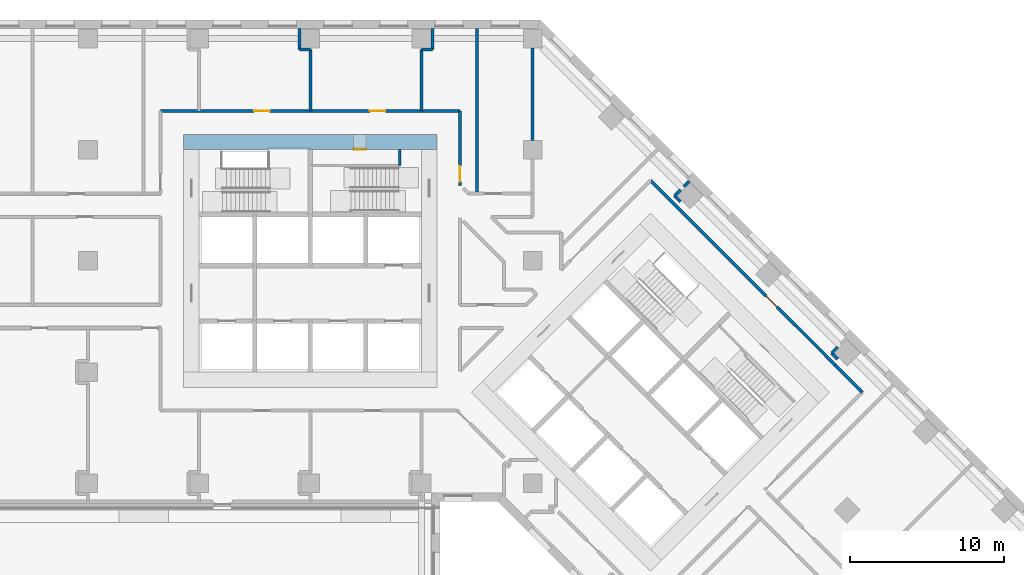
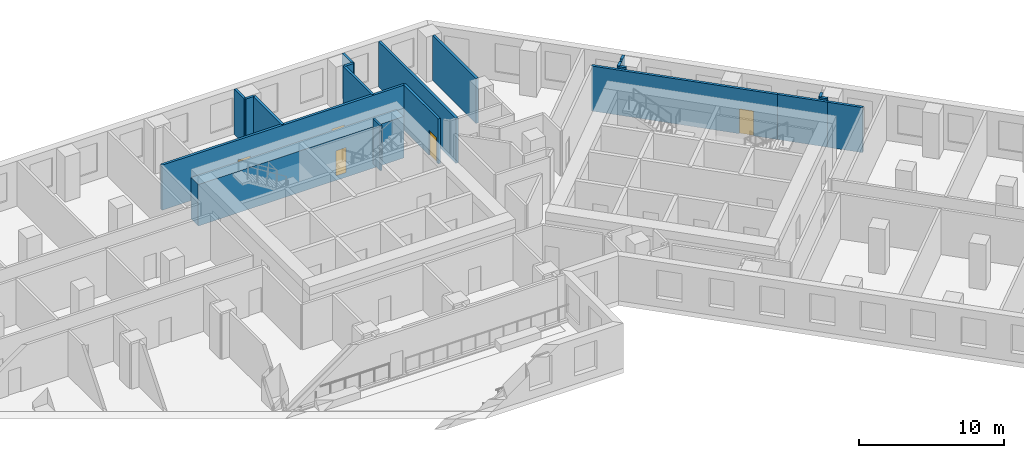
# One storey, part 10 of 14: 20 walls, 5 doors, 5 openings.
"""IFC4 building model written with IfcOpenShell, lengths in metres."""

from ifc_helpers import new_model, si_unit, direction, frame, frame_2d, origin, place, context, subcontext, project, spatial, rectangle, extrude, material, layer, layer_set, type_object, element, fill, save


model = new_model("IFC4")

# Units and contexts
model_context = context("Model", 3, precision=1e-05, world=origin(), true_north=direction((0.0, 1.0)))
body_context = subcontext(model_context, "Body", "Model", "MODEL_VIEW")
ifc_project = project(units=[si_unit("LENGTHUNIT", "METRE"), si_unit("AREAUNIT", "SQUARE_METRE"), si_unit("VOLUMEUNIT", "CUBIC_METRE"), si_unit("PLANEANGLEUNIT", "RADIAN"), si_unit("MASSUNIT", "GRAM", prefix="KILO")], contexts=[model_context])

# Site, building, storey
site_placement = place(None, origin())
site = spatial("IfcSite", under=ifc_project, at=site_placement, CompositionType="ELEMENT")
building_placement = place(site_placement, origin())
building = spatial("IfcBuilding", under=site, at=building_placement, Name="Windrow Commons", CompositionType="ELEMENT")
storey_placement = place(building_placement, frame((0.0, 0.0, 18.6)))
storey = spatial("IfcBuildingStorey", under=building, at=storey_placement, Name="L04", CompositionType="ELEMENT", Elevation=18.6)

# Wall, openings, doors
ifc_material_1 = material(Name="Blockwork partition", Category="masonry")
ifc_layer_1 = layer(ifc_material_1, 0.2)
ifc_layer_set_1 = layer_set([ifc_layer_1], Name="IW-CORRIDOR-200")
wall_type_1 = type_object("IfcWallType", Name="IW-CORRIDOR-200", PredefinedType="PARTITIONING", material=ifc_layer_set_1)
wall_1_placement = place(storey_placement, frame((55.1, 67.3, 0.0), z_axis=(0.0, 0.0, 1.0), x_axis=(1.0, 0.0, 0.0)))
wall_1 = element("IfcWall", 1, at=wall_1_placement, inside=storey, type_object=wall_type_1, Name="W-L04-W006", PredefinedType="PARTITIONING", context=body_context, shape_type="SweptSolid", body=[
    extrude(rectangle(XDim=19.4, YDim=0.2, at=frame_2d((9.7, 0.0))), origin(), (0.0, 0.0, 1.0), 3.8),
])
opening_1_placement = place(wall_1_placement, frame((6.0575, 0.0, 0.0)))
opening_1 = element("IfcOpeningElement", 2, at=opening_1_placement, cuts=wall_1, Name="Opening D310F", PredefinedType="OPENING", context=body_context, shape_type="SweptSolid", body=[
    extrude(rectangle(XDim=1.0, YDim=2.1, at=frame_2d((0.5, 1.05))), frame((0.0, 0.11, 0.0), z_axis=(0.0, -1.0, 0.0), x_axis=(1.0, 0.0, 0.0)), (0.0, 0.0, 1.0), 0.22),
])
opening_2_placement = place(wall_1_placement, frame((13.5625, 0.0, 0.0)))
opening_2 = element("IfcOpeningElement", 3, at=opening_2_placement, cuts=wall_1, Name="Opening D310F", PredefinedType="OPENING", context=body_context, shape_type="SweptSolid", body=[
    extrude(rectangle(XDim=1.0, YDim=2.1, at=frame_2d((0.5, 1.05))), frame((0.0, 0.11, 0.0), z_axis=(0.0, -1.0, 0.0), x_axis=(1.0, 0.0, 0.0)), (0.0, 0.0, 1.0), 0.22),
])
ifc_material_2 = material(Name="Timber door leaf", Category="wood")
door_type_1 = type_object("IfcDoorType", Name="DT-AMENITY-1000", OperationType="SINGLE_SWING_LEFT", PredefinedType="DOOR", material=ifc_material_2)
door_1_placement = place(opening_1_placement, origin())
door_1 = element("IfcDoor", 4, at=door_1_placement, inside=storey, type_object=door_type_1, Name="D-L04-D029", OperationType="SINGLE_SWING_RIGHT", OverallHeight=2.1, OverallWidth=1.0, PredefinedType="DOOR", context=body_context, shape_type="SweptSolid", body=[
    extrude(rectangle(XDim=1.0, YDim=2.1, at=frame_2d((0.5, 1.05))), frame((0.0, 0.025, 0.0), z_axis=(0.0, -1.0, 0.0), x_axis=(1.0, 0.0, 0.0)), (0.0, 0.0, 1.0), 0.05),
])
fill(opening_1, door_1)
door_2_placement = place(opening_2_placement, origin())
door_2 = element("IfcDoor", 5, at=door_2_placement, inside=storey, type_object=door_type_1, Name="D-L04-D030", OperationType="SINGLE_SWING_RIGHT", OverallHeight=2.1, OverallWidth=1.0, PredefinedType="DOOR", context=body_context, shape_type="SweptSolid", body=[
    extrude(rectangle(XDim=1.0, YDim=2.1, at=frame_2d((0.5, 1.05))), frame((0.0, 0.025, 0.0), z_axis=(0.0, -1.0, 0.0), x_axis=(1.0, 0.0, 0.0)), (0.0, 0.0, 1.0), 0.05),
])
fill(opening_2, door_2)

# Wall, opening, door
wall_2_placement = place(storey_placement, frame((86.833, 62.805, 0.0), z_axis=(0.0, 0.0, 1.0), x_axis=(0.7072045138, -0.7070090351, 0.0)))
wall_2 = element("IfcWall", 6, at=wall_2_placement, inside=storey, type_object=wall_type_1, Name="W-L04-W008", PredefinedType="PARTITIONING", context=body_context, shape_type="SweptSolid", body=[
    extrude(rectangle(XDim=13.3007, YDim=0.2, at=frame_2d((6.6504, 0.0))), origin(), (0.0, 0.0, 1.0), 3.8),
])
opening_3_placement = place(wall_2_placement, frame((10.5864, 0.0, 0.0)))
opening_3 = element("IfcOpeningElement", 7, at=opening_3_placement, cuts=wall_2, Name="Opening D310F", PredefinedType="OPENING", context=body_context, shape_type="SweptSolid", body=[
    extrude(rectangle(XDim=1.0, YDim=2.1, at=frame_2d((0.5, 1.05))), frame((0.0, 0.11, 0.0), z_axis=(0.0, -1.0, 0.0), x_axis=(1.0, 0.0, 0.0)), (0.0, 0.0, 1.0), 0.22),
])
door_3_placement = place(opening_3_placement, origin())
door_3 = element("IfcDoor", 8, at=door_3_placement, inside=storey, type_object=door_type_1, Name="D-L04-D032", OperationType="SINGLE_SWING_LEFT", OverallHeight=2.1, OverallWidth=1.0, PredefinedType="DOOR", context=body_context, shape_type="SweptSolid", body=[
    extrude(rectangle(XDim=1.0, YDim=2.1, at=frame_2d((0.5, 1.05))), frame((0.0, 0.025, 0.0), z_axis=(0.0, -1.0, 0.0), x_axis=(1.0, 0.0, 0.0)), (0.0, 0.0, 1.0), 0.05),
])
fill(opening_3, door_3)

wall_3_placement = place(storey_placement, frame((74.5, 62.488, 0.0), z_axis=(0.0, 0.0, 1.0), x_axis=(0.0, 1.0, 0.0)))
wall_3 = element("IfcWall", 9, at=wall_3_placement, inside=storey, type_object=wall_type_1, Name="W-L04-W058", PredefinedType="PARTITIONING", context=body_context, shape_type="SweptSolid", body=[
    extrude(rectangle(XDim=4.812, YDim=0.2, at=frame_2d((2.406, 0.0))), origin(), (0.0, 0.0, 1.0), 3.8),
])
opening_4_placement = place(wall_3_placement, frame((0.2515, 0.0, 0.0)))
opening_4 = element("IfcOpeningElement", 10, at=opening_4_placement, cuts=wall_3, Name="Opening D310F", PredefinedType="OPENING", context=body_context, shape_type="SweptSolid", body=[
    extrude(rectangle(XDim=1.0, YDim=2.1, at=frame_2d((0.5, 1.05))), frame((0.0, 0.11, 0.0), z_axis=(0.0, -1.0, 0.0), x_axis=(1.0, 0.0, 0.0)), (0.0, 0.0, 1.0), 0.22),
])
door_4_placement = place(opening_4_placement, origin())
door_4 = element("IfcDoor", 11, at=door_4_placement, inside=storey, type_object=door_type_1, Name="D-L04-D027", OperationType="SINGLE_SWING_RIGHT", OverallHeight=2.1, OverallWidth=1.0, PredefinedType="DOOR", context=body_context, shape_type="SweptSolid", body=[
    extrude(rectangle(XDim=1.0, YDim=2.1, at=frame_2d((0.5, 1.05))), frame((0.0, 0.025, 0.0), z_axis=(0.0, -1.0, 0.0), x_axis=(1.0, 0.0, 0.0)), (0.0, 0.0, 1.0), 0.05),
])
fill(opening_4, door_4)

# Walls
wall_4_placement = place(storey_placement, frame((96.2437, 53.4057, 0.0), z_axis=(0.0, 0.0, 1.0), x_axis=(0.7068288851, -0.7073845681, 0.0)))
element("IfcWall", 12, at=wall_4_placement, inside=storey, type_object=wall_type_1, Name="W-L04-W071", PredefinedType="PARTITIONING", context=body_context, shape_type="SweptSolid", body=[
    extrude(rectangle(XDim=3.5992, YDim=0.2, at=frame_2d((1.7996, 0.0))), origin(), (0.0, 0.0, 1.0), 3.8),
])
wall_5_placement = place(storey_placement, frame((98.783, 50.855, 0.0), z_axis=(0.0, 0.0, 1.0), x_axis=(0.7071067812, -0.7071067812, 0.0)))
element("IfcWall", 13, at=wall_5_placement, inside=storey, type_object=wall_type_1, Name="W-L04-W078", PredefinedType="PARTITIONING", context=body_context, shape_type="SweptSolid", body=[
    extrude(rectangle(XDim=2.5003, YDim=0.2, at=frame_2d((1.2502, 0.0))), origin(), (0.0, 0.0, 1.0), 3.8),
])
ifc_material_3 = material(Name="Blockwork partition", Category="masonry")
ifc_layer_2 = layer(ifc_material_3, 0.2)
ifc_layer_set_2 = layer_set([ifc_layer_2], Name="IW-PARTY-200")
wall_type_2 = type_object("IfcWallType", Name="IW-PARTY-200", PredefinedType="PARTITIONING", material=ifc_layer_set_2)
wall_6_placement = place(storey_placement, frame((75.6, 61.95, 0.0), z_axis=(0.0, 0.0, 1.0), x_axis=(0.0, 1.0, 0.0)))
element("IfcWall", 14, at=wall_6_placement, inside=storey, type_object=wall_type_2, Name="W-L04-W027", PredefinedType="PARTITIONING", context=body_context, shape_type="SweptSolid", body=[
    extrude(rectangle(XDim=10.7, YDim=0.2, at=frame_2d((5.35, 0.0))), origin(), (0.0, 0.0, 1.0), 3.8),
])
wall_7_placement = place(storey_placement, frame((79.2, 65.4, 0.0), z_axis=(0.0, 0.0, 1.0), x_axis=(0.0, 1.0, 0.0)))
element("IfcWall", 15, at=wall_7_placement, inside=storey, type_object=wall_type_2, Name="W-L04-W039", PredefinedType="PARTITIONING", context=body_context, shape_type="SweptSolid", body=[
    extrude(rectangle(XDim=6.0, YDim=0.2, at=frame_2d((3.0, 0.0))), origin(), (0.0, 0.0, 1.0), 3.8),
])
for number, where, z_axis, x_axis, name in (
    (16, (64.8, 67.3, 0.0), (0.0, 0.0, 1.0), (0.0, 1.0, 0.0), "W-L04-W063"),
    (17, (72.0, 67.3, 0.0), (0.0, 0.0, 1.0), (0.0, 1.0, 0.0), "W-L04-W064"),
):
    element("IfcWall", number, at=place(storey_placement, frame(where, z_axis=z_axis, x_axis=x_axis)), inside=storey, type_object=wall_type_2, Name=name, PredefinedType="PARTITIONING", context=body_context, shape_type="SweptSolid", body=[
        extrude(rectangle(XDim=3.996, YDim=0.2, at=frame_2d((1.998, 0.0))), origin(), (0.0, 0.0, 1.0), 3.8),
    ])
for number, where, z_axis, x_axis, name in (
    (18, (64.1, 71.296, 0.0), (0.0, 0.0, 1.0), (0.0, 1.0, 0.0), "W-L04-W112"),
    (19, (72.7, 71.296, 0.0), (0.0, 0.0, 1.0), (0.0, 1.0, 0.0), "W-L04-W113"),
):
    element("IfcWall", number, at=place(storey_placement, frame(where, z_axis=z_axis, x_axis=x_axis)), inside=storey, type_object=wall_type_2, Name=name, PredefinedType="PARTITIONING", context=body_context, shape_type="SweptSolid", body=[
        extrude(rectangle(XDim=1.354, YDim=0.2, at=frame_2d((0.677, 0.0))), origin(), (0.0, 0.0, 1.0), 3.8),
    ])
for number, where, z_axis, x_axis, name in (
    (20, (64.1, 71.3, 0.0), (0.0, 0.0, 1.0), (1.0, 0.0, 0.0), "W-L04-W127"),
    (21, (72.0, 71.3, 0.0), (0.0, 0.0, 1.0), (1.0, 0.0, 0.0), "W-L04-W128"),
):
    element("IfcWall", number, at=place(storey_placement, frame(where, z_axis=z_axis, x_axis=x_axis)), inside=storey, type_object=wall_type_2, Name=name, PredefinedType="PARTITIONING", context=body_context, shape_type="SweptSolid", body=[
        extrude(rectangle(XDim=0.7, YDim=0.2, at=frame_2d((0.35, 0.0))), origin(), (0.0, 0.0, 1.0), 3.8),
    ])
wall_8_placement = place(storey_placement, frame((88.3875, 61.8145, 0.0), z_axis=(0.0, 0.0, 1.0), x_axis=(0.7071067812, 0.7071067812, 0.0)))
element("IfcWall", 22, at=wall_8_placement, inside=storey, type_object=wall_type_2, Name="W-L04-W143", PredefinedType="PARTITIONING", context=body_context, shape_type="SweptSolid", body=[
    extrude(rectangle(XDim=0.5572, YDim=0.2, at=frame_2d((0.2786, 0.0))), origin(), (0.0, 0.0, 1.0), 3.8),
])
for number, where, z_axis, x_axis, name in (
    (23, (88.3875, 61.8135, 0.0), (0.0, 0.0, 1.0), (0.7089037401, -0.705305244, 0.0), "W-L04-W147"),
    (24, (98.5689, 51.6289, 0.0), (0.0, 0.0, 1.0), (0.705305244, -0.7089037401, 0.0), "W-L04-W148"),
):
    element("IfcWall", number, at=place(storey_placement, frame(where, z_axis=z_axis, x_axis=x_axis)), inside=storey, type_object=wall_type_2, Name=name, PredefinedType="PARTITIONING", context=body_context, shape_type="SweptSolid", body=[
        extrude(rectangle(XDim=0.5558, YDim=0.2, at=frame_2d((0.2779, 0.0))), origin(), (0.0, 0.0, 1.0), 3.8),
    ])
wall_9_placement = place(storey_placement, frame((98.5709, 51.6331, 0.0), z_axis=(0.0, 0.0, 1.0), x_axis=(0.7071067812, 0.7071067812, 0.0)))
element("IfcWall", 25, at=wall_9_placement, inside=storey, type_object=wall_type_2, Name="W-L04-W149", PredefinedType="PARTITIONING", context=body_context, shape_type="SweptSolid", body=[
    extrude(rectangle(XDim=0.5544, YDim=0.2, at=frame_2d((0.2772, 0.0))), origin(), (0.0, 0.0, 1.0), 3.8),
])
wall_10_placement = place(storey_placement, frame((88.9915, 62.4185, 0.0), z_axis=(0.0, 0.0, 1.0), x_axis=(0.7072064649, 0.7070070834, 0.0)))
element("IfcWall", 26, at=wall_10_placement, inside=storey, type_object=wall_type_2, Name="W-L04-W165", PredefinedType="PARTITIONING", context=body_context, shape_type="SweptSolid", body=[
    extrude(rectangle(XDim=0.5016, YDim=0.2, at=frame_2d((0.2508, 0.0))), origin(), (0.0, 0.0, 1.0), 3.8),
])

# Wall, opening, door
ifc_material_4 = material(Name="Concrete C60/75", Category="concrete")
ifc_layer_3 = layer(ifc_material_4, 1.0)
ifc_layer_set_3 = layer_set([ifc_layer_3], Name="RC CORE WALL 1000 C60/75")
wall_type_3 = type_object("IfcWallType", Name="RC CORE WALL 1000 C60/75", PredefinedType="SHEAR", material=ifc_layer_set_3)
wall_11_placement = place(storey_placement, frame((56.6, 65.3, -0.4), z_axis=(0.0, 0.0, 1.0), x_axis=(1.0, 0.0, 0.0)))
wall_11 = element("IfcWall", 27, at=wall_11_placement, inside=storey, type_object=wall_type_3, Name="Core A wall outer-N", PredefinedType="SHEAR", context=body_context, shape_type="SweptSolid", body=[
    extrude(rectangle(XDim=16.4, YDim=1.0, at=frame_2d((8.2, 0.0))), origin(), (0.0, 0.0, 1.0), 3.5),
])
opening_5_placement = place(wall_11_placement, frame((11.0, 0.0, 0.4)))
opening_5 = element("IfcOpeningElement", 28, at=opening_5_placement, cuts=wall_11, Name="Opening D9", PredefinedType="OPENING", context=body_context, shape_type="SweptSolid", body=[
    extrude(rectangle(XDim=0.8, YDim=2.1, at=frame_2d((0.4, 1.05))), frame((0.0, 0.51, 0.0), z_axis=(0.0, -1.0, 0.0), x_axis=(1.0, 0.0, 0.0)), (0.0, 0.0, 1.0), 1.02),
])
ifc_material_5 = material(Name="Steel fire door leaf", Category="steel")
door_type_2 = type_object("IfcDoorType", Name="Riser access door 800", OperationType="SINGLE_SWING_LEFT", PredefinedType="DOOR", material=ifc_material_5)
door_5_placement = place(opening_5_placement, origin())
door_5 = element("IfcDoor", 29, at=door_5_placement, inside=storey, type_object=door_type_2, Name="Riser access door", OperationType="SINGLE_SWING_RIGHT", OverallHeight=2.1, OverallWidth=0.8, PredefinedType="DOOR", context=body_context, shape_type="SweptSolid", body=[
    extrude(rectangle(XDim=0.8, YDim=2.1, at=frame_2d((0.4, 1.05))), frame((0.0, -0.44, 0.0), z_axis=(0.0, -1.0, 0.0), x_axis=(1.0, 0.0, 0.0)), (0.0, 0.0, 1.0), 0.05),
])
fill(opening_5, door_5)

# Wall
ifc_material_6 = material(Name="Blockwork partition", Category="masonry")
ifc_layer_4 = layer(ifc_material_6, 0.15)
ifc_layer_set_4 = layer_set([ifc_layer_4], Name="Riser partition 150")
wall_type_4 = type_object("IfcWallType", Name="Riser partition 150", PredefinedType="PARTITIONING", material=ifc_layer_set_4)
wall_12_placement = place(storey_placement, frame((70.6, 63.78, 0.0), z_axis=(0.0, 0.0, 1.0), x_axis=(0.0, 1.0, 0.0)))
element("IfcWall", 30, at=wall_12_placement, inside=storey, type_object=wall_type_4, Name="W-core-stripx-A-L04-1", PredefinedType="PARTITIONING", context=body_context, shape_type="SweptSolid", body=[
    extrude(rectangle(XDim=1.02, YDim=0.15, at=frame_2d((0.51, 0.0))), origin(), (0.0, 0.0, 1.0), 3.8),
])

save(model, "model.ifc")
